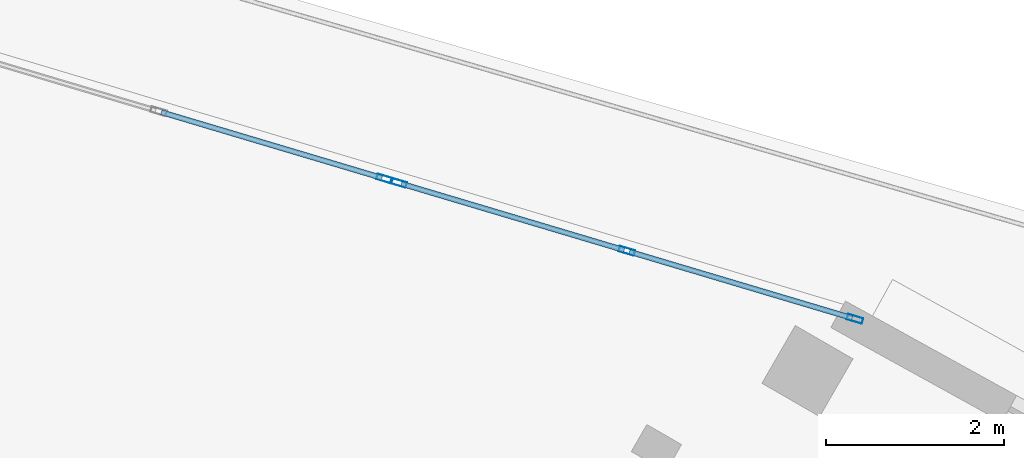
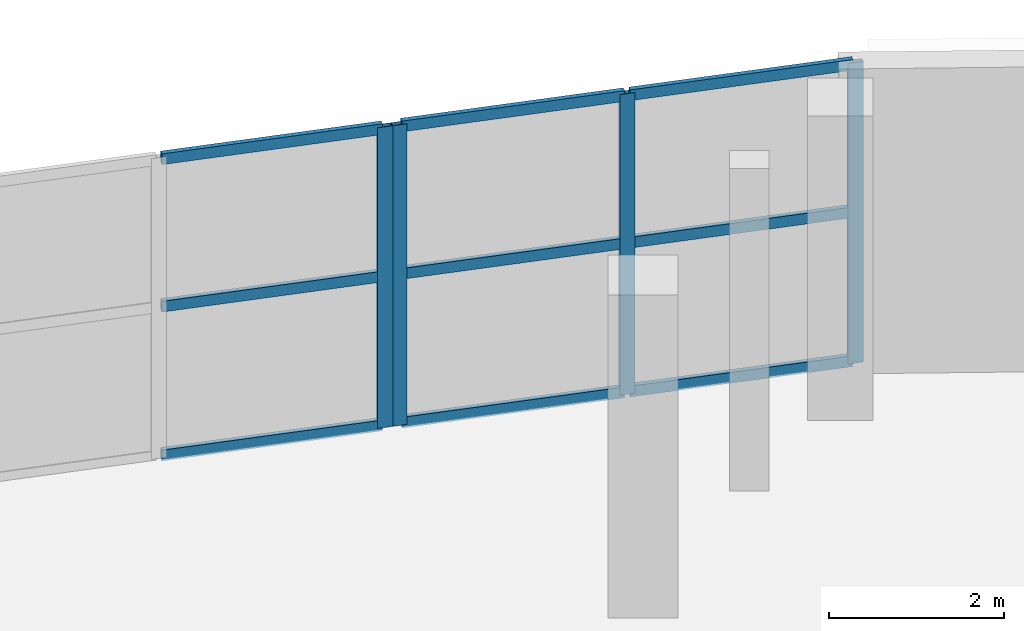
# One storey, part 60 of 107: 13 members, 2 elements without a shape of their own.
"""IFC4 building model written with IfcOpenShell, lengths in metres."""

from ifc_helpers import new_model, si_unit, direction, frame, origin, origin_2d, place, context, subcontext, project, spatial, hollow_rectangle, extrude, material, layer, layer_set, material_profile, profile_set, type_object, element, aggregate, save


model = new_model("IFC4")

# Units and contexts
model_context = context("Model", 3, precision=1e-05, world=origin(), true_north=direction((0.0, 1.0)))
body_context = subcontext(model_context, "Body", "Model", "MODEL_VIEW")
ifc_project = project(units=[si_unit("LENGTHUNIT", "METRE"), si_unit("AREAUNIT", "SQUARE_METRE"), si_unit("VOLUMEUNIT", "CUBIC_METRE"), si_unit("PLANEANGLEUNIT", "RADIAN"), si_unit("MASSUNIT", "GRAM", prefix="KILO")], contexts=[model_context])

# Site, building, storey
site_placement = place(None, origin())
site = spatial("IfcSite", under=ifc_project, at=site_placement, CompositionType="ELEMENT")
building_placement = place(site_placement, origin())
building = spatial("IfcBuilding", under=site, at=building_placement, Name="Kalgoora Escarpment Arena", CompositionType="ELEMENT")
storey_placement = place(building_placement, frame((0.0, 0.0, 5.39990234375)))
storey = spatial("IfcBuildingStorey", under=building, at=storey_placement, Name="L01", CompositionType="ELEMENT", Elevation=5.39990234375)

# Curtain wall, member
ifc_material_1 = material(Name=" Champagne anodised aluminium & double-glazed low-E", Category="aluminium")
ifc_layer_1 = layer(ifc_material_1, 0.162109375)
ifc_layer_set_1 = layer_set([ifc_layer_1], Name="CW-UNIT-08")
curtain_wall_type_1 = type_object("IfcCurtainWallType", Name="CW-UNIT-08", PredefinedType="NOTDEFINED", material=ifc_layer_set_1)
curtain_wall_1_placement = place(storey_placement, origin())
curtain_wall_1 = element("IfcCurtainWall", 1, at=curtain_wall_1_placement, inside=storey, type_object=curtain_wall_type_1, Name="L01 unitised facade curtain wall 027", PredefinedType="NOTDEFINED")
ifc_material_2 = material(Name="Anodised aluminium 6063-T6", Category="aluminium")
ifc_material_profile_1 = material_profile(ifc_material_2, hollow_rectangle(XDim=0.06494140625, YDim=0.179931640625, WallThickness=0.00390625, at=origin_2d()))
ifc_profile_set_1 = profile_set([ifc_material_profile_1], Name="Anodised aluminium 6063-T6")
member_type_1 = type_object("IfcMemberType", Name="MEM-CW-MULL-180", PredefinedType="MULLION", material=ifc_profile_set_1)
member_1_placement = place(storey_placement, frame((130.541015625, 119.685302734375, 0.02001953125), z_axis=(0.0, 0.0, 1.0), x_axis=(0.28563332603, 0.958338981291, 0.0)))
member_1 = element("IfcMember", 2, at=member_1_placement, type_object=member_type_1, Name="CW-08 mullion 3", PredefinedType="MULLION", context=body_context, shape_type="SweptSolid", body=[
    extrude(hollow_rectangle(XDim=0.06494140625, YDim=0.179931640625, WallThickness=0.00390625, at=origin_2d()), origin(), (0.0, 0.0, 1.0), 4.190185546875),
])

# Curtain wall, members
ifc_material_3 = material(Name=" Champagne anodised aluminium & double-glazed low-E", Category="aluminium")
ifc_layer_2 = layer(ifc_material_3, 0.166015625)
ifc_layer_set_2 = layer_set([ifc_layer_2], Name="CW-UNIT-09")
curtain_wall_type_2 = type_object("IfcCurtainWallType", Name="CW-UNIT-09", PredefinedType="NOTDEFINED", material=ifc_layer_set_2)
curtain_wall_2_placement = place(storey_placement, origin())
curtain_wall_2 = element("IfcCurtainWall", 3, at=curtain_wall_2_placement, inside=storey, type_object=curtain_wall_type_2, Name="L01 unitised facade curtain wall 028", PredefinedType="NOTDEFINED")
member_2_placement = place(storey_placement, frame((130.69921875, 119.63818359375, 0.02001953125), z_axis=(0.0, 0.0, 1.0), x_axis=(0.285637285981, 0.958337801016, 0.0)))
member_2 = element("IfcMember", 4, at=member_2_placement, type_object=member_type_1, Name="CW-09 mullion 1", PredefinedType="MULLION", context=body_context, shape_type="SweptSolid", body=[
    extrude(hollow_rectangle(XDim=0.06494140625, YDim=0.179931640625, WallThickness=0.00390625, at=origin_2d()), origin(), (0.0, 0.0, 1.0), 4.190185546875),
])
member_3_placement = place(storey_placement, frame((133.266845703125, 118.872802734375, 0.02001953125), z_axis=(0.0, 0.0, 1.0), x_axis=(0.285637285981, 0.958337801016, 0.0)))
member_3 = element("IfcMember", 5, at=member_3_placement, type_object=member_type_1, Name="CW-09 mullion 2", PredefinedType="MULLION", context=body_context, shape_type="SweptSolid", body=[
    extrude(hollow_rectangle(XDim=0.06494140625, YDim=0.179931640625, WallThickness=0.00390625, at=origin_2d()), origin(), (0.0, 0.0, 1.0), 4.190185546875),
])
member_4_placement = place(storey_placement, frame((135.83447265625, 118.107421875, 0.02001953125), z_axis=(0.0, 0.0, 1.0), x_axis=(0.285637285981, 0.958337801016, 0.0)))
member_4 = element("IfcMember", 6, at=member_4_placement, type_object=member_type_1, Name="CW-09 mullion 3", PredefinedType="MULLION", context=body_context, shape_type="SweptSolid", body=[
    extrude(hollow_rectangle(XDim=0.06494140625, YDim=0.179931640625, WallThickness=0.00390625, at=origin_2d()), origin(), (0.0, 0.0, 1.0), 4.190185546875),
])

# Member
ifc_material_4 = material(Name="Anodised aluminium 6063-T6", Category="aluminium")
ifc_material_profile_2 = material_profile(ifc_material_4, hollow_rectangle(XDim=0.06005859375, YDim=0.14990234375, WallThickness=0.00341796875, at=origin_2d()))
ifc_profile_set_2 = profile_set([ifc_material_profile_2], Name="Anodised aluminium 6063-T6")
member_type_2 = type_object("IfcMemberType", Name="MEM-CW-TRAN-150", PredefinedType="USERDEFINED", material=ifc_profile_set_2)
member_5_placement = place(storey_placement, frame((128.0283203125, 120.43408203125, 0.050048828125), z_axis=(0.958348901137, -0.285600041474, 0.0), x_axis=(0.285600041474, 0.958348901137, 0.0)))
member_5 = element("IfcMember", 7, at=member_5_placement, type_object=member_type_2, Name="CW-08 transom 2.1", ObjectType="TRANSOM", PredefinedType="USERDEFINED", context=body_context, shape_type="SweptSolid", body=[
    extrude(hollow_rectangle(XDim=0.06005859375, YDim=0.14990234375, WallThickness=0.00341796875, at=origin_2d()), origin(), (0.0, 0.0, 1.0), 2.58935546875),
])

member_6_placement = place(storey_placement, frame((128.0283203125, 120.43408203125, 2.125), z_axis=(0.958348901137, -0.285600041474, 0.0), x_axis=(0.285600041474, 0.958348901137, 0.0)))
member_6 = element("IfcMember", 8, at=member_6_placement, type_object=member_type_2, Name="CW-08 transom 2.2", ObjectType="TRANSOM", PredefinedType="USERDEFINED", context=body_context, shape_type="SweptSolid", body=[
    extrude(hollow_rectangle(XDim=0.06005859375, YDim=0.14990234375, WallThickness=0.00341796875, at=origin_2d()), origin(), (0.0, 0.0, 1.0), 2.58935546875),
])

member_7_placement = place(storey_placement, frame((128.0283203125, 120.43408203125, 4.18017578125), z_axis=(0.958348901137, -0.285600041474, 0.0), x_axis=(0.285600041474, 0.958348901137, 0.0)))
member_7 = element("IfcMember", 9, at=member_7_placement, type_object=member_type_2, Name="CW-08 transom 2.3", ObjectType="TRANSOM", PredefinedType="USERDEFINED", context=body_context, shape_type="SweptSolid", body=[
    extrude(hollow_rectangle(XDim=0.06005859375, YDim=0.14990234375, WallThickness=0.00341796875, at=origin_2d()), origin(), (0.0, 0.0, 1.0), 2.58935546875),
])

aggregate(curtain_wall_1, [member_1, member_5, member_6, member_7])

member_8_placement = place(storey_placement, frame((130.730224609375, 119.62890625, 0.050048828125), z_axis=(0.958328584334, -0.285668206926, 0.0), x_axis=(0.285668206926, 0.958328584334, 0.0)))
member_8 = element("IfcMember", 10, at=member_8_placement, type_object=member_type_2, Name="CW-09 transom 1.1", ObjectType="TRANSOM", PredefinedType="USERDEFINED", context=body_context, shape_type="SweptSolid", body=[
    extrude(hollow_rectangle(XDim=0.06005859375, YDim=0.14990234375, WallThickness=0.00341796875, at=origin_2d()), origin(), (0.0, 0.0, 1.0), 2.6142578125),
])

member_9_placement = place(storey_placement, frame((130.730224609375, 119.62890625, 2.125), z_axis=(0.958328584334, -0.285668206926, 0.0), x_axis=(0.285668206926, 0.958328584334, 0.0)))
member_9 = element("IfcMember", 11, at=member_9_placement, type_object=member_type_2, Name="CW-09 transom 1.2", ObjectType="TRANSOM", PredefinedType="USERDEFINED", context=body_context, shape_type="SweptSolid", body=[
    extrude(hollow_rectangle(XDim=0.06005859375, YDim=0.14990234375, WallThickness=0.00341796875, at=origin_2d()), origin(), (0.0, 0.0, 1.0), 2.6142578125),
])

member_10_placement = place(storey_placement, frame((130.730224609375, 119.62890625, 4.18017578125), z_axis=(0.958328584334, -0.285668206926, 0.0), x_axis=(0.285668206926, 0.958328584334, 0.0)))
member_10 = element("IfcMember", 12, at=member_10_placement, type_object=member_type_2, Name="CW-09 transom 1.3", ObjectType="TRANSOM", PredefinedType="USERDEFINED", context=body_context, shape_type="SweptSolid", body=[
    extrude(hollow_rectangle(XDim=0.06005859375, YDim=0.14990234375, WallThickness=0.00341796875, at=origin_2d()), origin(), (0.0, 0.0, 1.0), 2.6142578125),
])

member_11_placement = place(storey_placement, frame((133.298095703125, 118.863525390625, 0.050048828125), z_axis=(0.958328584334, -0.285668206926, 0.0), x_axis=(0.285668206926, 0.958328584334, 0.0)))
member_11 = element("IfcMember", 13, at=member_11_placement, type_object=member_type_2, Name="CW-09 transom 2.1", ObjectType="TRANSOM", PredefinedType="USERDEFINED", context=body_context, shape_type="SweptSolid", body=[
    extrude(hollow_rectangle(XDim=0.06005859375, YDim=0.14990234375, WallThickness=0.00341796875, at=origin_2d()), origin(), (0.0, 0.0, 1.0), 2.6142578125),
])

member_12_placement = place(storey_placement, frame((133.298095703125, 118.863525390625, 2.125), z_axis=(0.958328584334, -0.285668206926, 0.0), x_axis=(0.285668206926, 0.958328584334, 0.0)))
member_12 = element("IfcMember", 14, at=member_12_placement, type_object=member_type_2, Name="CW-09 transom 2.2", ObjectType="TRANSOM", PredefinedType="USERDEFINED", context=body_context, shape_type="SweptSolid", body=[
    extrude(hollow_rectangle(XDim=0.06005859375, YDim=0.14990234375, WallThickness=0.00341796875, at=origin_2d()), origin(), (0.0, 0.0, 1.0), 2.6142578125),
])

member_13_placement = place(storey_placement, frame((133.298095703125, 118.863525390625, 4.18017578125), z_axis=(0.958328584334, -0.285668206926, 0.0), x_axis=(0.285668206926, 0.958328584334, 0.0)))
member_13 = element("IfcMember", 15, at=member_13_placement, type_object=member_type_2, Name="CW-09 transom 2.3", ObjectType="TRANSOM", PredefinedType="USERDEFINED", context=body_context, shape_type="SweptSolid", body=[
    extrude(hollow_rectangle(XDim=0.06005859375, YDim=0.14990234375, WallThickness=0.00341796875, at=origin_2d()), origin(), (0.0, 0.0, 1.0), 2.6142578125),
])

aggregate(curtain_wall_2, [member_2, member_3, member_4, member_8, member_9, member_10, member_11, member_12, member_13])

save(model, "model.ifc")
